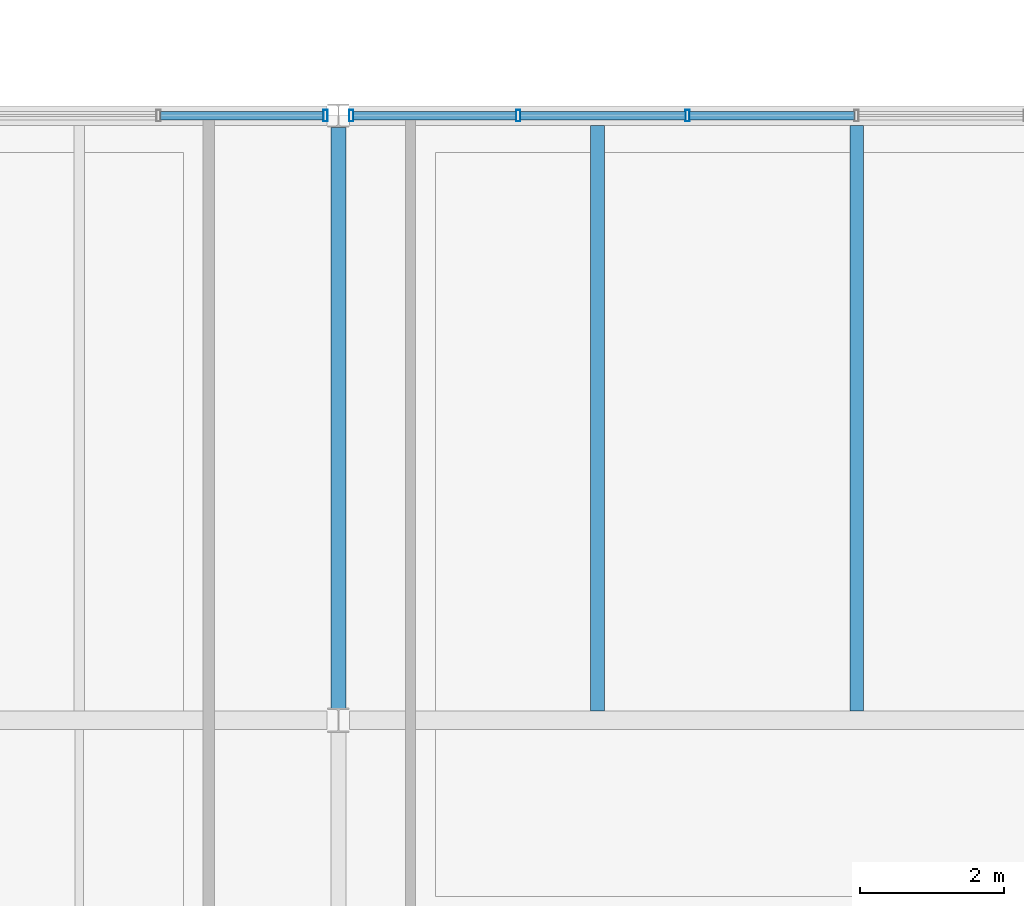
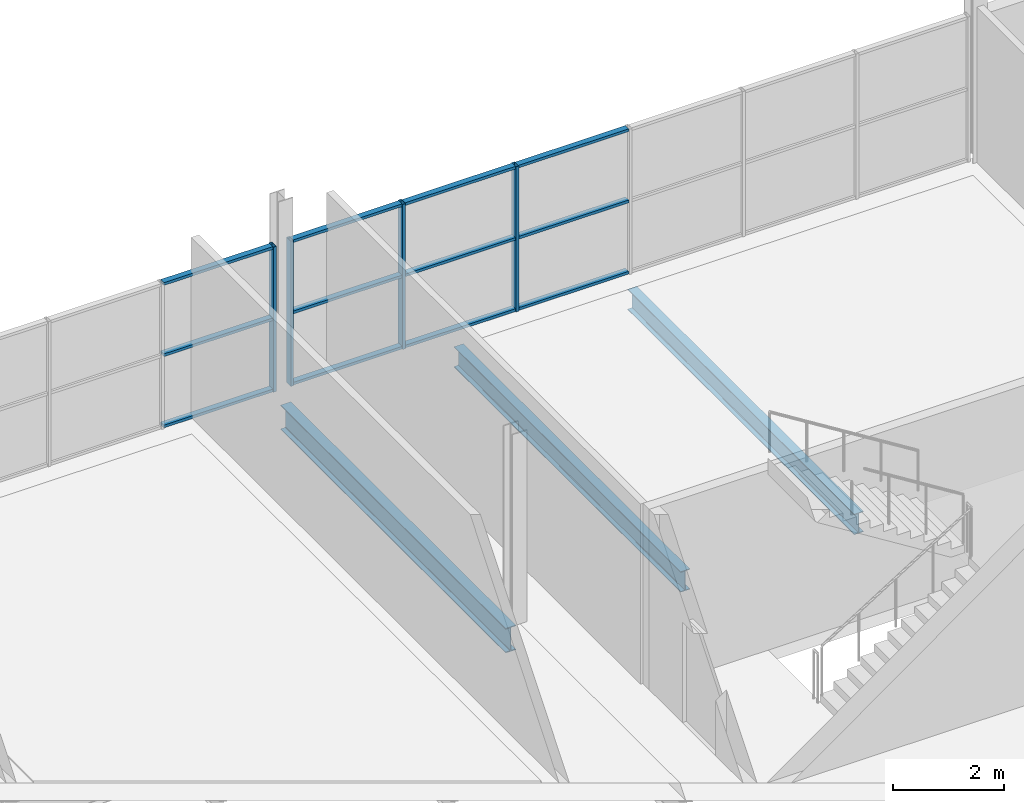
# One storey, part 61 of 93: 16 members, 3 beams, 2 elements without a shape of their own.
"""IFC4 building model written with IfcOpenShell, lengths in metres."""

from ifc_helpers import new_model, si_unit, direction, frame, origin, origin_2d, place, context, subcontext, project, spatial, hollow_rectangle, i_section, extrude, material, material_profile, profile_set, type_object, element, aggregate, save


model = new_model("IFC4")

# Units and contexts
model_context = context("Model", 3, precision=1e-05, world=origin(), true_north=direction((0.0, 1.0)))
body_context = subcontext(model_context, "Body", "Model", "MODEL_VIEW")
ifc_project = project(units=[si_unit("LENGTHUNIT", "METRE"), si_unit("AREAUNIT", "SQUARE_METRE"), si_unit("VOLUMEUNIT", "CUBIC_METRE"), si_unit("PLANEANGLEUNIT", "RADIAN"), si_unit("MASSUNIT", "GRAM", prefix="KILO"), si_unit("THERMODYNAMICTEMPERATUREUNIT", "KELVIN")], contexts=[model_context])

# Site, building, storey
site_placement = place(None, origin())
site = spatial("IfcSite", under=ifc_project, at=site_placement, CompositionType="ELEMENT")
building_placement = place(site_placement, origin())
building = spatial("IfcBuilding", under=site, at=building_placement, Name="Nduvali Passage Aquatics Centre", CompositionType="ELEMENT")
storey_placement = place(building_placement, frame((0.0, 0.0, 9.0)))
storey = spatial("IfcBuildingStorey", under=building, at=storey_placement, Name="L02", CompositionType="ELEMENT", Elevation=9.0)

# Curtain wall, member
ifc_material_1 = material(Name="Aluminium EN AW-6063 T6", Category="aluminium")
curtain_wall_type = type_object("IfcCurtainWallType", Name="ENV-CW-WELL", PredefinedType="NOTDEFINED", material=ifc_material_1)
curtain_wall_1_placement = place(storey_placement, origin())
curtain_wall_1 = element("IfcCurtainWall", 1, at=curtain_wall_1_placement, inside=storey, type_object=curtain_wall_type, Name="L02 North Avenue Clinic CW 109", PredefinedType="NOTDEFINED")
ifc_material_profile_1 = material_profile(ifc_material_1, hollow_rectangle(XDim=0.06005859375, YDim=0.159912109375, WallThickness=0.00390625, at=origin_2d()), Name="ALU MULLION 60x160x4")
ifc_profile_set_1 = profile_set([ifc_material_profile_1], Name="Aluminium EN AW-6063 T6")
member_type_1 = type_object("IfcMemberType", Name="ENV-MEM-MUL60", PredefinedType="MULLION", material=ifc_profile_set_1)
member_1_placement = place(storey_placement, frame((97.02001953125, 117.60009765625, 0.0), z_axis=(0.0, 0.0, 1.0), x_axis=(1.0, 0.0, 0.0)))
member_1 = element("IfcMember", 2, at=member_1_placement, type_object=member_type_1, Name="North Avenue Clinic CW Mullion 7", PredefinedType="MULLION", context=body_context, shape_type="SweptSolid", body=[
    extrude(hollow_rectangle(XDim=0.06005859375, YDim=0.159912109375, WallThickness=0.00390625, at=origin_2d()), origin(), (0.0, 0.0, 1.0), 3.183837890625),
])

# Curtain wall, members
curtain_wall_2_placement = place(storey_placement, origin())
curtain_wall_2 = element("IfcCurtainWall", 3, at=curtain_wall_2_placement, inside=storey, type_object=curtain_wall_type, Name="L02 North Avenue Clinic CW 113", PredefinedType="NOTDEFINED")
member_2_placement = place(storey_placement, frame((97.3798828125, 117.60009765625, 0.0), z_axis=(0.0, 0.0, 1.0), x_axis=(1.0, 0.0, 0.0)))
member_2 = element("IfcMember", 4, at=member_2_placement, type_object=member_type_1, Name="North Avenue Clinic CW Mullion 1", PredefinedType="MULLION", context=body_context, shape_type="SweptSolid", body=[
    extrude(hollow_rectangle(XDim=0.06005859375, YDim=0.159912109375, WallThickness=0.00390625, at=origin_2d()), origin(), (0.0, 0.0, 1.0), 3.183837890625),
])
member_3_placement = place(storey_placement, frame((99.699951171875, 117.60009765625, 0.0), z_axis=(0.0, 0.0, 1.0), x_axis=(1.0, 0.0, 0.0)))
member_3 = element("IfcMember", 5, at=member_3_placement, type_object=member_type_1, Name="North Avenue Clinic CW Mullion 2", PredefinedType="MULLION", context=body_context, shape_type="SweptSolid", body=[
    extrude(hollow_rectangle(XDim=0.06005859375, YDim=0.159912109375, WallThickness=0.00390625, at=origin_2d()), origin(), (0.0, 0.0, 1.0), 3.183837890625),
])
member_4_placement = place(storey_placement, frame((102.050048828125, 117.60009765625, 0.0), z_axis=(0.0, 0.0, 1.0), x_axis=(1.0, 0.0, 0.0)))
member_4 = element("IfcMember", 6, at=member_4_placement, type_object=member_type_1, Name="North Avenue Clinic CW Mullion 3", PredefinedType="MULLION", context=body_context, shape_type="SweptSolid", body=[
    extrude(hollow_rectangle(XDim=0.06005859375, YDim=0.159912109375, WallThickness=0.00390625, at=origin_2d()), origin(), (0.0, 0.0, 1.0), 3.183837890625),
])

# Member
ifc_material_profile_2 = material_profile(ifc_material_1, hollow_rectangle(XDim=0.1201171875, YDim=0.06005859375, WallThickness=0.00390625, at=origin_2d()), Name="ALU TRANSOM 120x60x4")
ifc_profile_set_2 = profile_set([ifc_material_profile_2], Name="Aluminium EN AW-6063 T6")
member_type_2 = type_object("IfcMemberType", Name="ENV-MEM-TRN60", PredefinedType="USERDEFINED", material=ifc_profile_set_2)
member_5_placement = place(storey_placement, frame((94.72998046875, 117.60009765625, 0.030029296875), z_axis=(1.0, 0.0, 0.0), x_axis=(0.0, 1.0, 0.0)))
member_5 = element("IfcMember", 7, at=member_5_placement, type_object=member_type_2, Name="North Avenue Clinic CW Transom B6-R0", ObjectType="TRANSOM", PredefinedType="USERDEFINED", context=body_context, shape_type="SweptSolid", body=[
    extrude(hollow_rectangle(XDim=0.1201171875, YDim=0.06005859375, WallThickness=0.00390625, at=origin_2d()), origin(), (0.0, 0.0, 1.0), 2.260009765625),
])

member_6_placement = place(storey_placement, frame((94.72998046875, 117.60009765625, 1.591796875), z_axis=(1.0, 0.0, 0.0), x_axis=(0.0, 1.0, 0.0)))
member_6 = element("IfcMember", 8, at=member_6_placement, type_object=member_type_2, Name="North Avenue Clinic CW Transom B6-R1", ObjectType="TRANSOM", PredefinedType="USERDEFINED", context=body_context, shape_type="SweptSolid", body=[
    extrude(hollow_rectangle(XDim=0.1201171875, YDim=0.06005859375, WallThickness=0.00390625, at=origin_2d()), origin(), (0.0, 0.0, 1.0), 2.260009765625),
])

member_7_placement = place(storey_placement, frame((94.72998046875, 117.60009765625, 3.15380859375), z_axis=(1.0, 0.0, 0.0), x_axis=(0.0, 1.0, 0.0)))
member_7 = element("IfcMember", 9, at=member_7_placement, type_object=member_type_2, Name="North Avenue Clinic CW Transom B6-R2", ObjectType="TRANSOM", PredefinedType="USERDEFINED", context=body_context, shape_type="SweptSolid", body=[
    extrude(hollow_rectangle(XDim=0.1201171875, YDim=0.06005859375, WallThickness=0.00390625, at=origin_2d()), origin(), (0.0, 0.0, 1.0), 2.260009765625),
])

aggregate(curtain_wall_1, [member_1, member_5, member_6, member_7])

member_8_placement = place(storey_placement, frame((97.409912109375, 117.60009765625, 0.030029296875), z_axis=(1.0, 0.0, 0.0), x_axis=(0.0, 1.0, 0.0)))
member_8 = element("IfcMember", 10, at=member_8_placement, type_object=member_type_2, Name="North Avenue Clinic CW Transom B1-R0", ObjectType="TRANSOM", PredefinedType="USERDEFINED", context=body_context, shape_type="SweptSolid", body=[
    extrude(hollow_rectangle(XDim=0.1201171875, YDim=0.06005859375, WallThickness=0.00390625, at=origin_2d()), origin(), (0.0, 0.0, 1.0), 2.260009765625),
])

member_9_placement = place(storey_placement, frame((97.409912109375, 117.60009765625, 1.591796875), z_axis=(1.0, 0.0, 0.0), x_axis=(0.0, 1.0, 0.0)))
member_9 = element("IfcMember", 11, at=member_9_placement, type_object=member_type_2, Name="North Avenue Clinic CW Transom B1-R1", ObjectType="TRANSOM", PredefinedType="USERDEFINED", context=body_context, shape_type="SweptSolid", body=[
    extrude(hollow_rectangle(XDim=0.1201171875, YDim=0.06005859375, WallThickness=0.00390625, at=origin_2d()), origin(), (0.0, 0.0, 1.0), 2.260009765625),
])

member_10_placement = place(storey_placement, frame((97.409912109375, 117.60009765625, 3.15380859375), z_axis=(1.0, 0.0, 0.0), x_axis=(0.0, 1.0, 0.0)))
member_10 = element("IfcMember", 12, at=member_10_placement, type_object=member_type_2, Name="North Avenue Clinic CW Transom B1-R2", ObjectType="TRANSOM", PredefinedType="USERDEFINED", context=body_context, shape_type="SweptSolid", body=[
    extrude(hollow_rectangle(XDim=0.1201171875, YDim=0.06005859375, WallThickness=0.00390625, at=origin_2d()), origin(), (0.0, 0.0, 1.0), 2.260009765625),
])

member_11_placement = place(storey_placement, frame((99.72998046875, 117.60009765625, 0.030029296875), z_axis=(1.0, 0.0, 0.0), x_axis=(0.0, 1.0, 0.0)))
member_11 = element("IfcMember", 13, at=member_11_placement, type_object=member_type_2, Name="North Avenue Clinic CW Transom B2-R0", ObjectType="TRANSOM", PredefinedType="USERDEFINED", context=body_context, shape_type="SweptSolid", body=[
    extrude(hollow_rectangle(XDim=0.1201171875, YDim=0.06005859375, WallThickness=0.00390625, at=origin_2d()), origin(), (0.0, 0.0, 1.0), 2.2900390625),
])

member_12_placement = place(storey_placement, frame((99.72998046875, 117.60009765625, 1.591796875), z_axis=(1.0, 0.0, 0.0), x_axis=(0.0, 1.0, 0.0)))
member_12 = element("IfcMember", 14, at=member_12_placement, type_object=member_type_2, Name="North Avenue Clinic CW Transom B2-R1", ObjectType="TRANSOM", PredefinedType="USERDEFINED", context=body_context, shape_type="SweptSolid", body=[
    extrude(hollow_rectangle(XDim=0.1201171875, YDim=0.06005859375, WallThickness=0.00390625, at=origin_2d()), origin(), (0.0, 0.0, 1.0), 2.2900390625),
])

member_13_placement = place(storey_placement, frame((99.72998046875, 117.60009765625, 3.15380859375), z_axis=(1.0, 0.0, 0.0), x_axis=(0.0, 1.0, 0.0)))
member_13 = element("IfcMember", 15, at=member_13_placement, type_object=member_type_2, Name="North Avenue Clinic CW Transom B2-R2", ObjectType="TRANSOM", PredefinedType="USERDEFINED", context=body_context, shape_type="SweptSolid", body=[
    extrude(hollow_rectangle(XDim=0.1201171875, YDim=0.06005859375, WallThickness=0.00390625, at=origin_2d()), origin(), (0.0, 0.0, 1.0), 2.2900390625),
])

member_14_placement = place(storey_placement, frame((102.080078125, 117.60009765625, 0.030029296875), z_axis=(1.0, 0.0, 0.0), x_axis=(0.0, 1.0, 0.0)))
member_14 = element("IfcMember", 16, at=member_14_placement, type_object=member_type_2, Name="North Avenue Clinic CW Transom B3-R0", ObjectType="TRANSOM", PredefinedType="USERDEFINED", context=body_context, shape_type="SweptSolid", body=[
    extrude(hollow_rectangle(XDim=0.1201171875, YDim=0.06005859375, WallThickness=0.00390625, at=origin_2d()), origin(), (0.0, 0.0, 1.0), 2.2900390625),
])

member_15_placement = place(storey_placement, frame((102.080078125, 117.60009765625, 1.591796875), z_axis=(1.0, 0.0, 0.0), x_axis=(0.0, 1.0, 0.0)))
member_15 = element("IfcMember", 17, at=member_15_placement, type_object=member_type_2, Name="North Avenue Clinic CW Transom B3-R1", ObjectType="TRANSOM", PredefinedType="USERDEFINED", context=body_context, shape_type="SweptSolid", body=[
    extrude(hollow_rectangle(XDim=0.1201171875, YDim=0.06005859375, WallThickness=0.00390625, at=origin_2d()), origin(), (0.0, 0.0, 1.0), 2.2900390625),
])

member_16_placement = place(storey_placement, frame((102.080078125, 117.60009765625, 3.15380859375), z_axis=(1.0, 0.0, 0.0), x_axis=(0.0, 1.0, 0.0)))
member_16 = element("IfcMember", 18, at=member_16_placement, type_object=member_type_2, Name="North Avenue Clinic CW Transom B3-R2", ObjectType="TRANSOM", PredefinedType="USERDEFINED", context=body_context, shape_type="SweptSolid", body=[
    extrude(hollow_rectangle(XDim=0.1201171875, YDim=0.06005859375, WallThickness=0.00390625, at=origin_2d()), origin(), (0.0, 0.0, 1.0), 2.2900390625),
])

aggregate(curtain_wall_2, [member_2, member_3, member_4, member_8, member_9, member_10, member_11, member_12, member_13, member_14, member_15, member_16])

# Beams
ifc_material_2 = material(Name="Steel S355", Category="steel")
ifc_material_profile_3 = material_profile(ifc_material_2, i_section(OverallWidth=0.210693359375, OverallDepth=0.53955078125, WebThickness=0.01171875, FlangeThickness=0.018798828125, FilletRadius=0.0126953125, at=origin_2d()), Name="UKB 533x210x109")
ifc_profile_set_3 = profile_set([ifc_material_profile_3], Name="Steel S355")
beam_type_1 = type_object("IfcBeamType", Name="STR-BM-UKB533", PredefinedType="BEAM", material=ifc_profile_set_3)
beam_placement = place(storey_placement, frame((97.199951171875, 109.3603515625, -0.53369140625), z_axis=(0.0, 1.0, 0.0), x_axis=(-1.0, 0.0, 0.0)))
element("IfcBeam", 19, at=beam_placement, inside=storey, type_object=beam_type_1, Name="L02 Primary Y-Girder B6-0999", PredefinedType="BEAM", context=body_context, shape_type="SweptSolid", body=[
    extrude(i_section(OverallWidth=0.210693359375, OverallDepth=0.53955078125, WebThickness=0.01171875, FlangeThickness=0.018798828125, FilletRadius=0.0126953125, at=origin_2d()), origin(), (0.0, 0.0, 1.0), 8.079345703125),
])
ifc_material_profile_4 = material_profile(ifc_material_2, i_section(OverallWidth=0.18994140625, OverallDepth=0.449951171875, WebThickness=0.009521484375, FlangeThickness=0.0146484375, FilletRadius=0.02099609375, at=origin_2d()), Name="IPE 450")
ifc_profile_set_4 = profile_set([ifc_material_profile_4], Name="Steel S355")
beam_type_2 = type_object("IfcBeamType", Name="STR-JST-IPE450", PredefinedType="JOIST", material=ifc_profile_set_4)
for number, where, z_axis, x_axis, name in (
    (20, (100.800048828125, 109.326904296875, -0.489013671875), (0.0, 1.0, 0.0), (-1.0, 0.0, 0.0), "L02 Secondary Joist J5B-1195"),
    (21, (104.39990234375, 109.326904296875, -0.489013671875), (0.0, 1.0, 0.0), (-1.0, 0.0, 0.0), "L02 Secondary Joist J5B-1196"),
):
    element("IfcBeam", number, at=place(storey_placement, frame(where, z_axis=z_axis, x_axis=x_axis)), inside=storey, type_object=beam_type_2, Name=name, PredefinedType="JOIST", context=body_context, shape_type="SweptSolid", body=[
        extrude(i_section(OverallWidth=0.18994140625, OverallDepth=0.449951171875, WebThickness=0.009521484375, FlangeThickness=0.0146484375, FilletRadius=0.02099609375, at=origin_2d()), origin(), (0.0, 0.0, 1.0), 8.139892578125),
    ])

save(model, "model.ifc")
